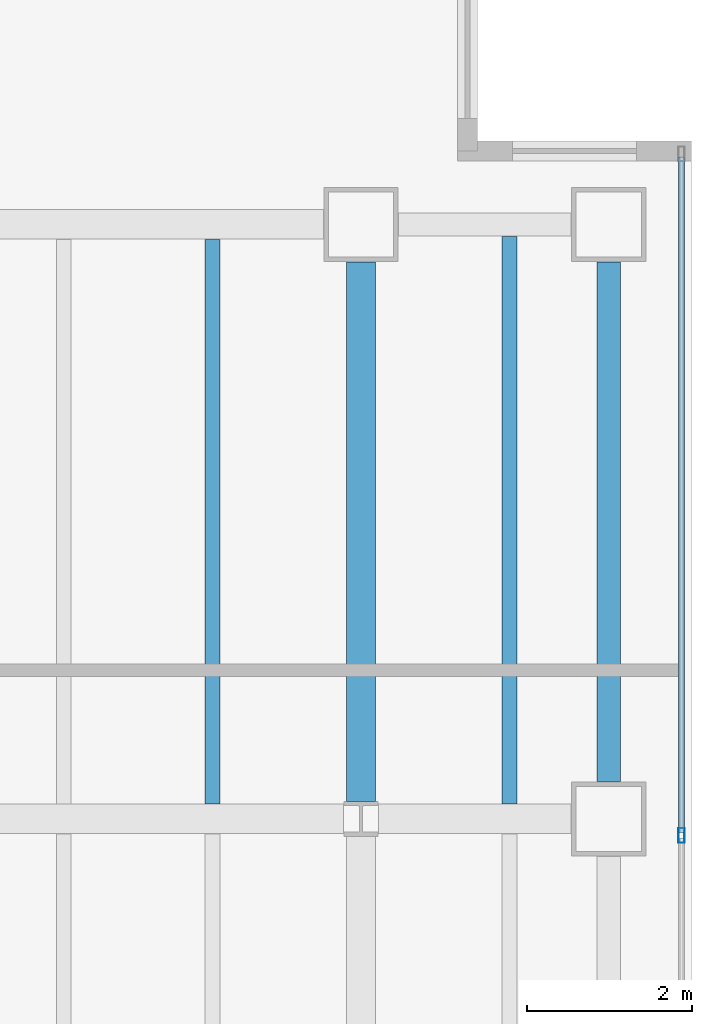
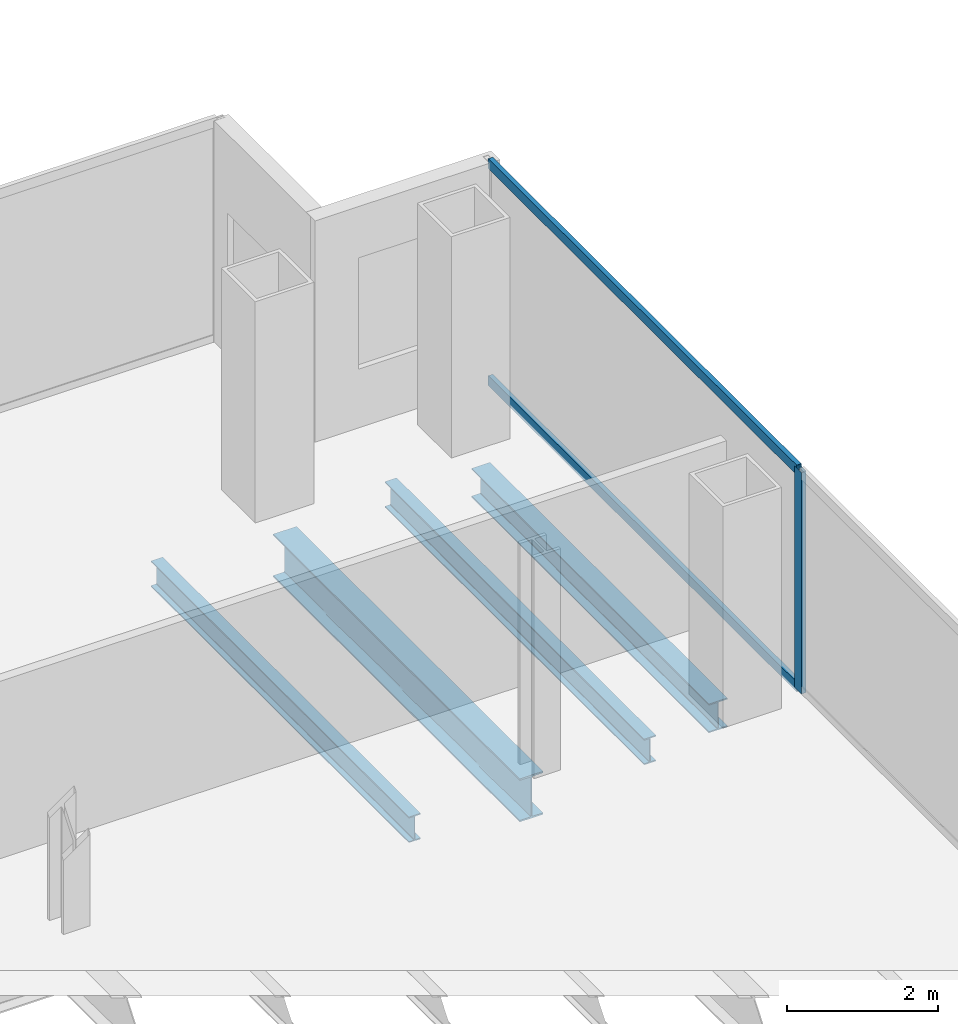
# One storey, part 13 of 23: 4 beams, 3 members, 1 element without a shape of its own.
"""IFC4 building model written with IfcOpenShell, lengths in metres."""

from ifc_helpers import new_model, si_unit, direction, frame, origin, origin_2d, place, context, subcontext, project, spatial, hollow_rectangle, i_section, extrude, material, material_profile, profile_set, type_object, element, aggregate, save


model = new_model("IFC4")

# Units and contexts
model_context = context("Model", 3, precision=1e-05, world=origin(), true_north=direction((0.0, 1.0)))
body_context = subcontext(model_context, "Body", "Model", "MODEL_VIEW")
ifc_project = project(units=[si_unit("LENGTHUNIT", "METRE"), si_unit("AREAUNIT", "SQUARE_METRE"), si_unit("VOLUMEUNIT", "CUBIC_METRE"), si_unit("PLANEANGLEUNIT", "RADIAN"), si_unit("MASSUNIT", "GRAM", prefix="KILO")], contexts=[model_context])

# Site, building, storey
site_placement = place(None, origin())
site = spatial("IfcSite", under=ifc_project, at=site_placement, CompositionType="ELEMENT")
building_placement = place(site_placement, origin())
building = spatial("IfcBuilding", under=site, at=building_placement, Name="Cobrela Telecom Tower", CompositionType="ELEMENT")
storey_placement = place(building_placement, frame((0.0, 0.0, 144.550048828125)))
storey = spatial("IfcBuildingStorey", under=building, at=storey_placement, Name="L36", CompositionType="ELEMENT", Elevation=144.550048828125)

# Beams
ifc_material_1 = material(Name="Steel ASTM A992 Grade 50", Category="steel")
ifc_material_profile_1 = material_profile(ifc_material_1, i_section(OverallWidth=0.35595703125, OverallDepth=0.696044921875, WebThickness=0.015380859375, FlangeThickness=0.024658203125, FilletRadius=0.01806640625, at=origin_2d()), Name="W27X146")
ifc_profile_set_1 = profile_set([ifc_material_profile_1], Name="Steel ASTM A992 Grade 50")
beam_type_1 = type_object("IfcBeamType", Name="BM-GIRD-05", PredefinedType="USERDEFINED", material=ifc_profile_set_1)
beam_1_placement = place(storey_placement, frame((43.199951171875, 14.609619140625, -0.6181640625), z_axis=(0.0, 1.0, 0.0), x_axis=(-1.0, 0.0, 0.0)))
element("IfcBeam", 1, at=beam_1_placement, inside=storey, type_object=beam_type_1, Name="L36 Primary Girder Y54", ObjectType="GIRDER", PredefinedType="USERDEFINED", context=body_context, shape_type="SweptSolid", body=[
    extrude(i_section(OverallWidth=0.35595703125, OverallDepth=0.696044921875, WebThickness=0.015380859375, FlangeThickness=0.024658203125, FilletRadius=0.01806640625, at=origin_2d()), origin(), (0.0, 0.0, 1.0), 6.535400390625),
])
ifc_material_profile_2 = material_profile(ifc_material_1, i_section(OverallWidth=0.179931640625, OverallDepth=0.4169921875, WebThickness=0.010986328125, FlangeThickness=0.01806640625, FilletRadius=0.011962890625, at=origin_2d()), Name="W16X57")
ifc_profile_set_2 = profile_set([ifc_material_profile_2], Name="Steel ASTM A992 Grade 50")
beam_type_2 = type_object("IfcBeamType", Name="BM-JOIST-04", PredefinedType="JOIST", material=ifc_profile_set_2)
beam_2_placement = place(storey_placement, frame((41.39990234375, 14.5830078125, -0.478515625), z_axis=(0.0, 1.0, 0.0), x_axis=(-1.0, 0.0, 0.0)))
element("IfcBeam", 2, at=beam_2_placement, inside=storey, type_object=beam_type_2, Name="L36 Secondary Composite Floor Beam J38", PredefinedType="JOIST", context=body_context, shape_type="SweptSolid", body=[
    extrude(i_section(OverallWidth=0.179931640625, OverallDepth=0.4169921875, WebThickness=0.010986328125, FlangeThickness=0.01806640625, FilletRadius=0.011962890625, at=origin_2d()), origin(), (0.0, 0.0, 1.0), 6.833984375),
])
beam_3_placement = place(storey_placement, frame((45.0, 14.5830078125, -0.478515625), z_axis=(0.0, 1.0, 0.0), x_axis=(-1.0, 0.0, 0.0)))
element("IfcBeam", 3, at=beam_3_placement, inside=storey, type_object=beam_type_2, Name="L36 Secondary Composite Floor Beam J40", PredefinedType="JOIST", context=body_context, shape_type="SweptSolid", body=[
    extrude(i_section(OverallWidth=0.179931640625, OverallDepth=0.4169921875, WebThickness=0.010986328125, FlangeThickness=0.01806640625, FilletRadius=0.011962890625, at=origin_2d()), origin(), (0.0, 0.0, 1.0), 6.87109375),
])
ifc_material_profile_3 = material_profile(ifc_material_1, i_section(OverallWidth=0.281982421875, OverallDepth=0.467041015625, WebThickness=0.01220703125, FlangeThickness=0.01953125, FilletRadius=0.012939453125, at=origin_2d()), Name="W18X86")
ifc_profile_set_3 = profile_set([ifc_material_profile_3], Name="Steel ASTM A992 Grade 50")
beam_type_3 = type_object("IfcBeamType", Name="BM-SPAND-04", PredefinedType="SPANDREL", material=ifc_profile_set_3)
beam_4_placement = place(storey_placement, frame((46.199951171875, 14.85498046875, -0.503662109375), z_axis=(0.0, 1.0, 0.0), x_axis=(-1.0, 0.0, 0.0)))
element("IfcBeam", 4, at=beam_4_placement, inside=storey, type_object=beam_type_3, Name="L36 Perimeter Spandrel Y56", PredefinedType="SPANDREL", context=body_context, shape_type="SweptSolid", body=[
    extrude(i_section(OverallWidth=0.281982421875, OverallDepth=0.467041015625, WebThickness=0.01220703125, FlangeThickness=0.01953125, FilletRadius=0.012939453125, at=origin_2d()), origin(), (0.0, 0.0, 1.0), 6.2900390625),
])

# Curtain wall, members
ifc_material_2 = material(Name="Anodized Bronze Aluminium 6063-T6", Category="aluminium")
curtain_wall_type = type_object("IfcCurtainWallType", Name="CW-SYS-TEL", PredefinedType="USERDEFINED", material=ifc_material_2)
curtain_wall_placement = place(storey_placement, origin())
curtain_wall = element("IfcCurtainWall", 5, at=curtain_wall_placement, inside=storey, type_object=curtain_wall_type, Name="L36 Unitised Bronze Curtain Wall 14", ObjectType="UNITISED CURTAIN WALL", PredefinedType="USERDEFINED")
ifc_material_profile_4 = material_profile(ifc_material_2, hollow_rectangle(XDim=0.074951171875, YDim=0.179931640625, WallThickness=0.00390625, at=origin_2d()), Name="ALU 75x180x4")
ifc_profile_set_4 = profile_set([ifc_material_profile_4], Name="Anodized Bronze Aluminium 6063-T6")
member_type_1 = type_object("IfcMemberType", Name="CW-SYS-TEL-MUL", PredefinedType="MULLION", material=ifc_profile_set_4)
member_1_placement = place(storey_placement, frame((47.080078125, 14.199951171875, 0.0), z_axis=(0.0, 0.0, 1.0), x_axis=(1.0, 0.0, 0.0)))
member_1 = element("IfcMember", 6, at=member_1_placement, type_object=member_type_1, Name="CW-TEL mullion 2", PredefinedType="MULLION", context=body_context, shape_type="SweptSolid", body=[
    extrude(hollow_rectangle(XDim=0.074951171875, YDim=0.179931640625, WallThickness=0.00390625, at=origin_2d()), origin(), (0.0, 0.0, 1.0), 3.579833984375),
])
ifc_material_profile_5 = material_profile(ifc_material_2, hollow_rectangle(XDim=0.070068359375, YDim=0.159912109375, WallThickness=0.00390625, at=origin_2d()), Name="ALU 70x160x4")
ifc_profile_set_5 = profile_set([ifc_material_profile_5], Name="Anodized Bronze Aluminium 6063-T6")
member_type_2 = type_object("IfcMemberType", Name="CW-SYS-TEL-TRN", PredefinedType="USERDEFINED", material=ifc_profile_set_5)
member_2_placement = place(storey_placement, frame((47.080078125, 22.4150390625, 0.034912109375), z_axis=(0.0, -1.0, 0.0), x_axis=(1.0, 0.0, 0.0)))
member_2 = element("IfcMember", 7, at=member_2_placement, type_object=member_type_2, Name="CW-TEL transom 1.1", ObjectType="TRANSOM", PredefinedType="USERDEFINED", context=body_context, shape_type="SweptSolid", body=[
    extrude(hollow_rectangle(XDim=0.070068359375, YDim=0.159912109375, WallThickness=0.00390625, at=origin_2d()), origin(), (0.0, 0.0, 1.0), 8.177490234375),
])
member_3_placement = place(storey_placement, frame((47.080078125, 22.4150390625, 3.544921875), z_axis=(0.0, -1.0, 0.0), x_axis=(1.0, 0.0, 0.0)))
member_3 = element("IfcMember", 8, at=member_3_placement, type_object=member_type_2, Name="CW-TEL transom 1.2", ObjectType="TRANSOM", PredefinedType="USERDEFINED", context=body_context, shape_type="SweptSolid", body=[
    extrude(hollow_rectangle(XDim=0.070068359375, YDim=0.159912109375, WallThickness=0.00390625, at=origin_2d()), origin(), (0.0, 0.0, 1.0), 8.177490234375),
])
aggregate(curtain_wall, [member_1, member_2, member_3])

save(model, "model.ifc")
